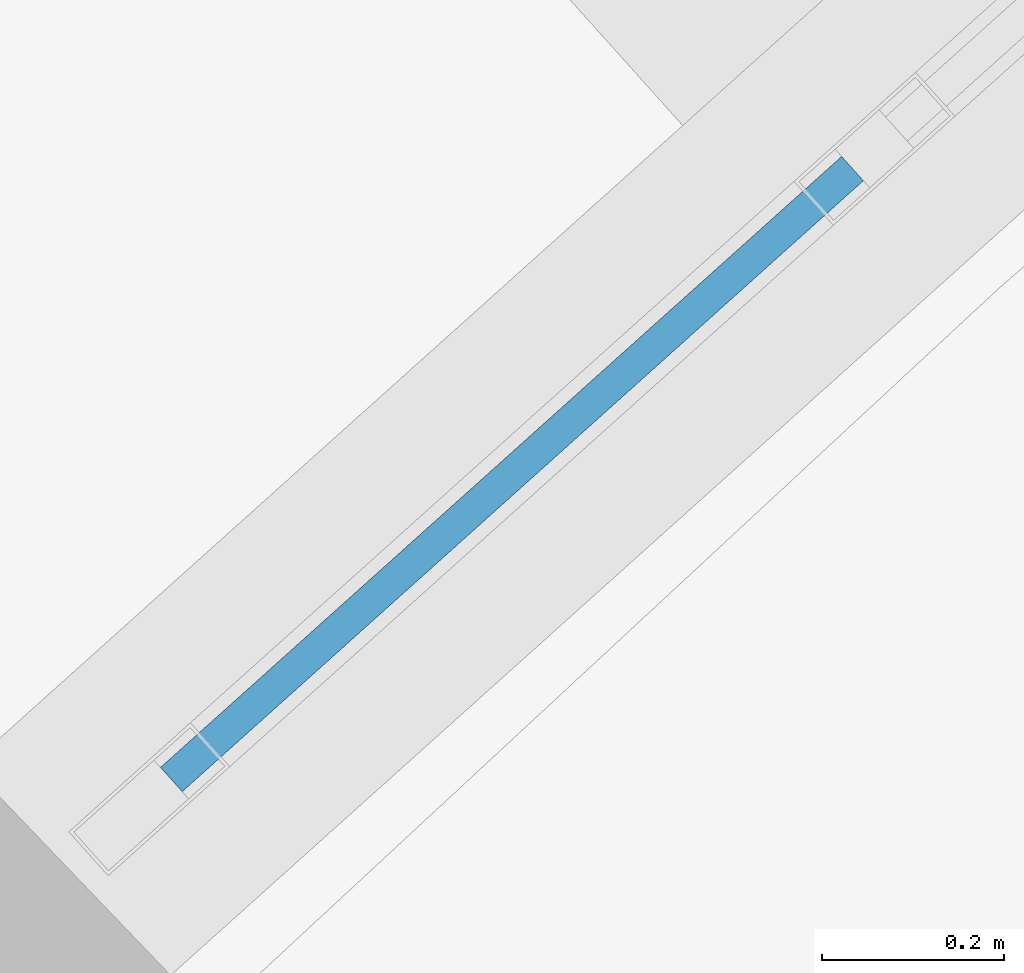
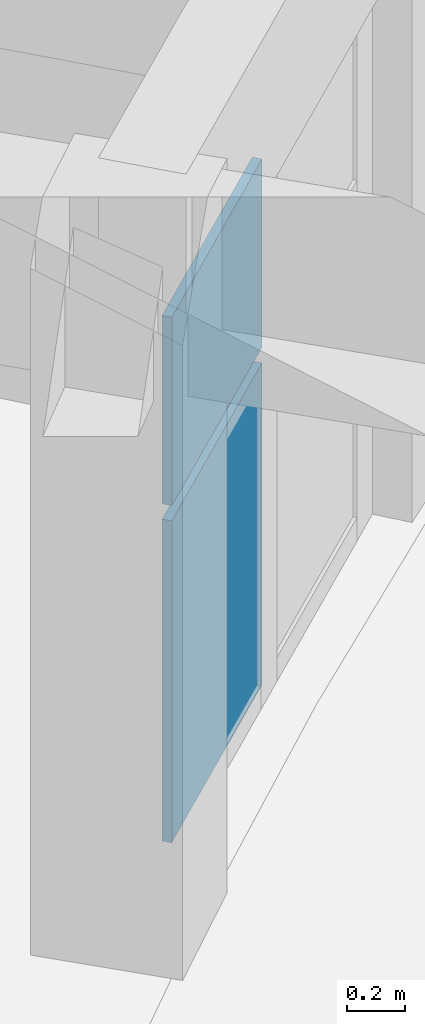
# One storey, part 20 of 69: 2 plates, 1 element without a shape of its own.
"""IFC4 building model written with IfcOpenShell, lengths in metres."""

from ifc_helpers import new_model, si_unit, direction, frame, origin, origin_2d, place, context, subcontext, project, spatial, rectangle, extrude, material, layer, layer_set, type_object, element, aggregate, save


model = new_model("IFC4")

# Units and contexts
model_context = context("Model", 3, precision=1e-05, world=origin(), true_north=direction((0.0, 1.0)))
body_context = subcontext(model_context, "Body", "Model", "MODEL_VIEW")
ifc_project = project(units=[si_unit("LENGTHUNIT", "METRE"), si_unit("AREAUNIT", "SQUARE_METRE"), si_unit("VOLUMEUNIT", "CUBIC_METRE"), si_unit("PLANEANGLEUNIT", "RADIAN"), si_unit("MASSUNIT", "GRAM", prefix="KILO")], contexts=[model_context])

# Site, building, storey
site_placement = place(None, origin())
site = spatial("IfcSite", under=ifc_project, at=site_placement, CompositionType="ELEMENT")
building_placement = place(site_placement, origin())
building = spatial("IfcBuilding", under=site, at=building_placement, Name="Tanwirah Colonnade Gardens", CompositionType="ELEMENT")
storey_placement = place(building_placement, frame((0.0, 0.0, 15.56005859375)))
storey = spatial("IfcBuildingStorey", under=building, at=storey_placement, Name="L04", CompositionType="ELEMENT", Elevation=15.56005859375)

# Curtain wall, plates
ifc_material_1 = material(Name="Bronze-anodised aluminium and solar-control low-E glass", Category="aluminium")
curtain_wall_type = type_object("IfcCurtainWallType", Name="CW-GDN", PredefinedType="NOTDEFINED", material=ifc_material_1)
curtain_wall_placement = place(storey_placement, origin())
curtain_wall = element("IfcCurtainWall", 1, at=curtain_wall_placement, inside=storey, type_object=curtain_wall_type, Name="Curtain Wall CW-A-L04-IN-09", PredefinedType="NOTDEFINED")
ifc_material_2 = material(Name="Insulated bronze aluminium spandrel panel", Category="aluminium")
ifc_layer = layer(ifc_material_2, 0.035888671875)
ifc_layer_set = layer_set([ifc_layer], Name="Insulated bronze aluminium spandrel panel")
plate_type = type_object("IfcPlateType", Name="CWP-SPN36", PredefinedType="CURTAIN_PANEL", material=ifc_layer_set)
plate_1_placement = place(storey_placement, frame((34.938232421875, 92.914306640625, 0.06494140625), z_axis=(0.0, 0.0, 1.0), x_axis=(-0.744440162253, -0.667689182798, 0.0)))
plate_1 = element("IfcPlate", 2, at=plate_1_placement, type_object=plate_type, Name="CW-GDN panel 2.1", PredefinedType="CURTAIN_PANEL", context=body_context, shape_type="SweptSolid", body=[
    extrude(rectangle(XDim=1.007568359375, YDim=0.035888671875, at=origin_2d()), origin(), (0.0, 0.0, 1.0), 1.362548828125),
])
plate_2_placement = place(storey_placement, frame((34.938232421875, 92.914306640625, 1.49267578125), z_axis=(0.0, 0.0, 1.0), x_axis=(-0.744440162253, -0.667689182798, 0.0)))
plate_2 = element("IfcPlate", 3, at=plate_2_placement, type_object=plate_type, Name="CW-GDN panel 2.2", PredefinedType="CURTAIN_PANEL", context=body_context, shape_type="SweptSolid", body=[
    extrude(rectangle(XDim=1.007568359375, YDim=0.035888671875, at=origin_2d()), origin(), (0.0, 0.0, 1.0), 0.79736328125),
])
aggregate(curtain_wall, [plate_1, plate_2])

save(model, "model.ifc")
